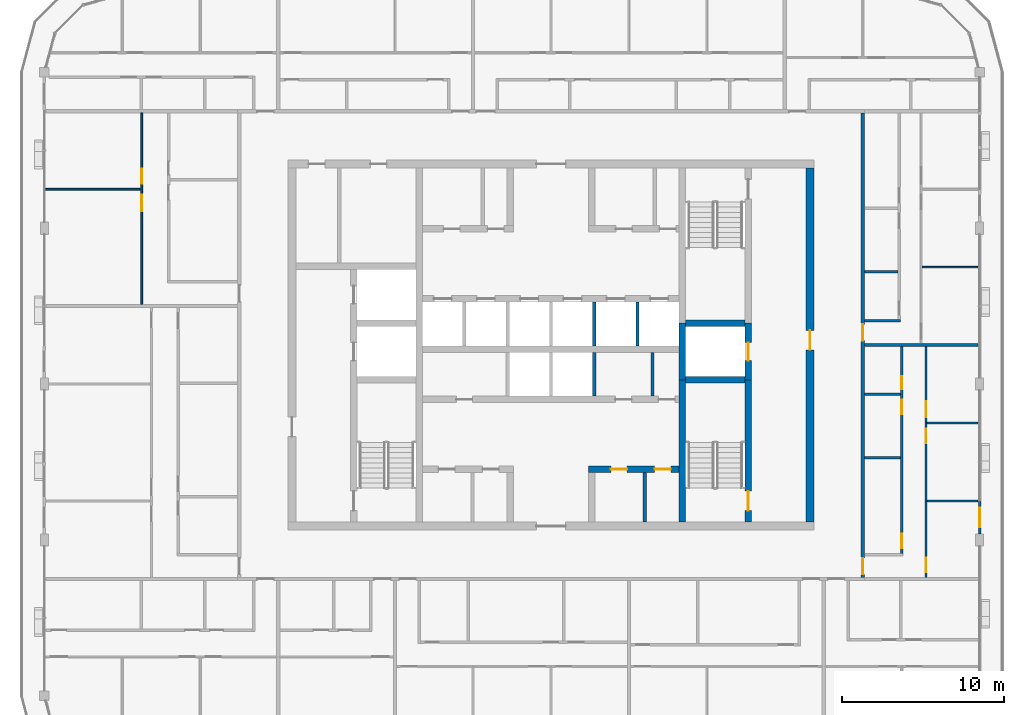
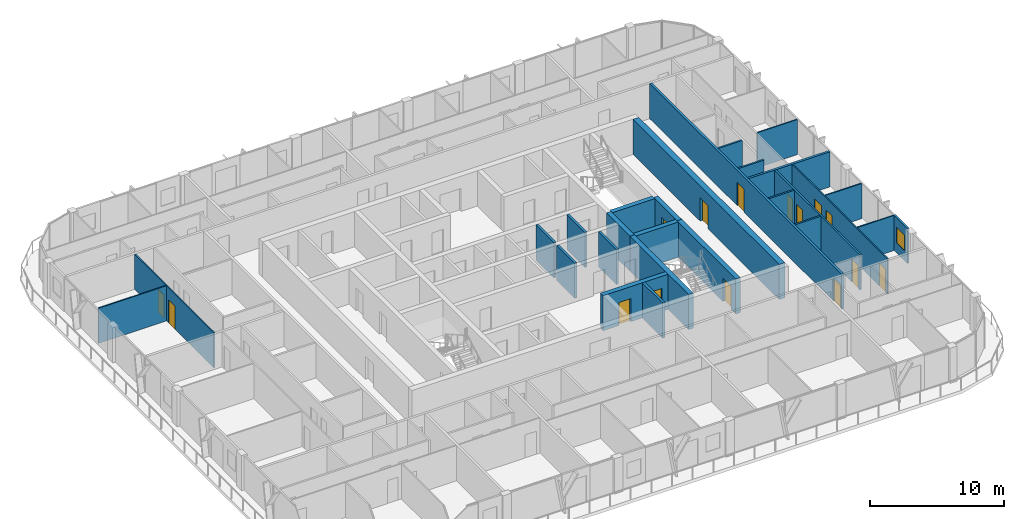
# One storey, part 12 of 22: 27 walls, 15 doors, 1 window, 16 openings.
"""IFC4 building model written with IfcOpenShell, lengths in metres."""

from ifc_helpers import new_model, si_unit, direction, frame, frame_2d, origin, place, context, subcontext, project, spatial, rectangle, extrude, material, layer, layer_set, type_object, element, fill, save


model = new_model("IFC4")

# Units and contexts
model_context = context("Model", 3, precision=1e-05, world=origin(), true_north=direction((0.0, 1.0)))
body_context = subcontext(model_context, "Body", "Model", "MODEL_VIEW")
ifc_project = project(units=[si_unit("LENGTHUNIT", "METRE"), si_unit("AREAUNIT", "SQUARE_METRE"), si_unit("VOLUMEUNIT", "CUBIC_METRE"), si_unit("PLANEANGLEUNIT", "RADIAN"), si_unit("MASSUNIT", "GRAM", prefix="KILO")], contexts=[model_context])

# Site, building, storey
site_placement = place(None, origin())
site = spatial("IfcSite", under=ifc_project, at=site_placement, CompositionType="ELEMENT")
building_placement = place(site_placement, origin())
building = spatial("IfcBuilding", under=site, at=building_placement, Name="Madar Terraces", CompositionType="ELEMENT")
storey_placement = place(building_placement, frame((0.0, 0.0, 282.60009765625)))
storey = spatial("IfcBuildingStorey", under=building, at=storey_placement, Name="L74", CompositionType="ELEMENT", Elevation=282.60009765625)

# Walls
ifc_material_1 = material(Name="Concrete C50/60", Category="concrete")
ifc_layer_1 = layer(ifc_material_1, 0.39990234375)
ifc_layer_set_1 = layer_set([ifc_layer_1], Name="Concrete C50/60 (CIW6 RC wall 400)")
wall_type_1 = type_object("IfcWallType", Name="CIW6 RC wall 400", PredefinedType="SHEAR", material=ifc_layer_set_1)
wall_1_placement = place(storey_placement, frame((39.300048828125, 15.5, 0.0), z_axis=(0.0, 0.0, 1.0), x_axis=(0.0, 1.0, 0.0)))
element("IfcWall", 1, at=wall_1_placement, inside=storey, type_object=wall_type_1, Name="CORE SHAFT WALL", PredefinedType="SHEAR", context=body_context, shape_type="SweptSolid", body=[
    extrude(rectangle(XDim=8.75, YDim=0.39990234375, at=frame_2d((4.375, 0.0))), origin(), (0.0, 0.0, 1.0), 3.199951171875),
])
wall_2_placement = place(storey_placement, frame((39.300048828125, 24.25, 0.0), z_axis=(0.0, 0.0, 1.0), x_axis=(0.0, 1.0, 0.0)))
element("IfcWall", 2, at=wall_2_placement, inside=storey, type_object=wall_type_1, Name="CORE SHAFT WALL", PredefinedType="SHEAR", context=body_context, shape_type="SweptSolid", body=[
    extrude(rectangle(XDim=3.5, YDim=0.39990234375, at=frame_2d((1.75, 0.0))), origin(), (0.0, 0.0, 1.0), 3.199951171875),
])

# Wall, opening, door
wall_3_placement = place(storey_placement, frame((43.35009765625, 15.5, 0.0), z_axis=(0.0, 0.0, 1.0), x_axis=(0.0, 1.0, 0.0)))
wall_3 = element("IfcWall", 3, at=wall_3_placement, inside=storey, type_object=wall_type_1, Name="CORE SHAFT WALL", PredefinedType="SHEAR", context=body_context, shape_type="SweptSolid", body=[
    extrude(rectangle(XDim=8.75, YDim=0.39990234375, at=frame_2d((4.375, 0.0))), origin(), (0.0, 0.0, 1.0), 3.199951171875),
])
opening_1_placement = place(wall_3_placement, frame((0.699951171875, 0.0, 0.0)))
opening_1 = element("IfcOpeningElement", 4, at=opening_1_placement, cuts=wall_3, Name="Opening SD1", PredefinedType="OPENING", context=body_context, shape_type="SweptSolid", body=[
    extrude(rectangle(XDim=1.199951171875, YDim=2.10009765625, at=frame_2d((0.60009765625, 1.050048828125))), frame((0.0, 0.2099609375, 0.0), z_axis=(0.0, -1.0, 0.0), x_axis=(1.0, 0.0, 0.0)), (0.0, 0.0, 1.0), 0.419921875),
])
ifc_material_2 = material(Name="Steel door leaf", Category="steel")
door_type_1 = type_object("IfcDoorType", Name="Stair door 1200 x 2100", OperationType="NOTDEFINED", PredefinedType="DOOR", material=ifc_material_2)
door_1_placement = place(opening_1_placement, origin())
door_1 = element("IfcDoor", 5, at=door_1_placement, inside=storey, type_object=door_type_1, Name="STAIR DOOR", OperationType="SINGLE_SWING_LEFT", OverallHeight=2.10009765625, OverallWidth=1.199951171875, PredefinedType="DOOR", context=body_context, shape_type="SweptSolid", body=[
    extrude(rectangle(XDim=1.199951171875, YDim=2.10009765625, at=frame_2d((0.60009765625, 1.050048828125))), frame((0.0, 0.02490234375, 0.0), z_axis=(0.0, -1.0, 0.0), x_axis=(1.0, 0.0, 0.0)), (0.0, 0.0, 1.0), 0.050048828125),
])
fill(opening_1, door_1)

wall_4_placement = place(storey_placement, frame((43.35009765625, 24.25, 0.0), z_axis=(0.0, 0.0, 1.0), x_axis=(0.0, 1.0, 0.0)))
wall_4 = element("IfcWall", 6, at=wall_4_placement, inside=storey, type_object=wall_type_1, Name="CORE SHAFT WALL", PredefinedType="SHEAR", context=body_context, shape_type="SweptSolid", body=[
    extrude(rectangle(XDim=3.5, YDim=0.39990234375, at=frame_2d((1.75, 0.0))), origin(), (0.0, 0.0, 1.0), 3.199951171875),
])
opening_2_placement = place(wall_4_placement, frame((1.199951171875, 0.0, 0.0)))
opening_2 = element("IfcOpeningElement", 7, at=opening_2_placement, cuts=wall_4, Name="Opening LD", PredefinedType="OPENING", context=body_context, shape_type="SweptSolid", body=[
    extrude(rectangle(XDim=1.10009765625, YDim=2.10009765625, at=frame_2d((0.550048828125, 1.050048828125))), frame((0.0, 0.2099609375, 0.0), z_axis=(0.0, -1.0, 0.0), x_axis=(1.0, 0.0, 0.0)), (0.0, 0.0, 1.0), 0.419921875),
])
ifc_material_3 = material(Name="Stainless steel panel", Category="steel")
door_type_2 = type_object("IfcDoorType", Name="Lift landing door 1100 x 2100", OperationType="DOUBLE_DOOR_SLIDING", PredefinedType="DOOR", material=ifc_material_3)
door_2_placement = place(opening_2_placement, origin())
door_2 = element("IfcDoor", 8, at=door_2_placement, inside=storey, type_object=door_type_2, Name="LIFT LANDING DOOR", OperationType="DOUBLE_DOOR_SLIDING", OverallHeight=2.10009765625, OverallWidth=1.10009765625, PredefinedType="DOOR", context=body_context, shape_type="SweptSolid", body=[
    extrude(rectangle(XDim=1.10009765625, YDim=2.10009765625, at=frame_2d((0.550048828125, 1.050048828125))), frame((0.0, 0.02490234375, 0.0), z_axis=(0.0, -1.0, 0.0), x_axis=(1.0, 0.0, 0.0)), (0.0, 0.0, 1.0), 0.050048828125),
])
fill(opening_2, door_2)

# Walls
for number, where, z_axis, x_axis, name in (
    (9, (39.5, 24.25, 0.0), (0.0, 0.0, 1.0), (1.0, 0.0, 0.0), "CORE SHAFT WALL"),
    (10, (39.5, 27.75, 0.0), (0.0, 0.0, 1.0), (1.0, 0.0, 0.0), "CORE SHAFT WALL"),
):
    element("IfcWall", number, at=place(storey_placement, frame(where, z_axis=z_axis, x_axis=x_axis)), inside=storey, type_object=wall_type_1, Name=name, PredefinedType="SHEAR", context=body_context, shape_type="SweptSolid", body=[
        extrude(rectangle(XDim=3.64990234375, YDim=0.39990234375, at=frame_2d((1.824951171875, 0.0))), origin(), (0.0, 0.0, 1.0), 3.199951171875),
    ])

# Wall, openings, doors
wall_5_placement = place(storey_placement, frame((33.5, 18.75, 0.0), z_axis=(0.0, 0.0, 1.0), x_axis=(1.0, 0.0, 0.0)))
wall_5 = element("IfcWall", 11, at=wall_5_placement, inside=storey, type_object=wall_type_1, Name="CORE SHAFT WALL", PredefinedType="SHEAR", context=body_context, shape_type="SweptSolid", body=[
    extrude(rectangle(XDim=5.60009765625, YDim=0.39990234375, at=frame_2d((2.800048828125, 0.0))), origin(), (0.0, 0.0, 1.0), 3.199951171875),
])
opening_3_placement = place(wall_5_placement, frame((1.384033203125, 0.0, 0.0)))
opening_3 = element("IfcOpeningElement", 12, at=opening_3_placement, cuts=wall_5, Name="Opening KD2", PredefinedType="OPENING", context=body_context, shape_type="SweptSolid", body=[
    extrude(rectangle(XDim=1.0, YDim=2.10009765625, at=frame_2d((0.5, 1.050048828125))), frame((0.0, 0.2099609375, 0.0), z_axis=(0.0, -1.0, 0.0), x_axis=(1.0, 0.0, 0.0)), (0.0, 0.0, 1.0), 0.419921875),
])
opening_4_placement = place(wall_5_placement, frame((4.083984375, 0.0, 0.0)))
opening_4 = element("IfcOpeningElement", 13, at=opening_4_placement, cuts=wall_5, Name="Opening KD2", PredefinedType="OPENING", context=body_context, shape_type="SweptSolid", body=[
    extrude(rectangle(XDim=1.0, YDim=2.10009765625, at=frame_2d((0.5, 1.050048828125))), frame((0.0, 0.2099609375, 0.0), z_axis=(0.0, -1.0, 0.0), x_axis=(1.0, 0.0, 0.0)), (0.0, 0.0, 1.0), 0.419921875),
])
ifc_material_4 = material(Name="Steel door leaf", Category="steel")
door_type_3 = type_object("IfcDoorType", Name="Service room door 1000 x 2100", OperationType="NOTDEFINED", PredefinedType="DOOR", material=ifc_material_4)
door_3_placement = place(opening_3_placement, origin())
door_3 = element("IfcDoor", 14, at=door_3_placement, inside=storey, type_object=door_type_3, Name="SERVICE ROOM DOOR", OperationType="SINGLE_SWING_RIGHT", OverallHeight=2.10009765625, OverallWidth=1.0, PredefinedType="DOOR", context=body_context, shape_type="SweptSolid", body=[
    extrude(rectangle(XDim=1.0, YDim=2.10009765625, at=frame_2d((0.5, 1.050048828125))), frame((0.0, 0.02490234375, 0.0), z_axis=(0.0, -1.0, 0.0), x_axis=(1.0, 0.0, 0.0)), (0.0, 0.0, 1.0), 0.050048828125),
])
fill(opening_3, door_3)
door_4_placement = place(opening_4_placement, origin())
door_4 = element("IfcDoor", 15, at=door_4_placement, inside=storey, type_object=door_type_3, Name="SERVICE ROOM DOOR", OperationType="SINGLE_SWING_LEFT", OverallHeight=2.10009765625, OverallWidth=1.0, PredefinedType="DOOR", context=body_context, shape_type="SweptSolid", body=[
    extrude(rectangle(XDim=1.0, YDim=2.10009765625, at=frame_2d((0.5, 1.050048828125))), frame((0.0, 0.02490234375, 0.0), z_axis=(0.0, -1.0, 0.0), x_axis=(1.0, 0.0, 0.0)), (0.0, 0.0, 1.0), 0.050048828125),
])
fill(opening_4, door_4)

# Wall, opening, door
ifc_material_5 = material(Name="Concrete C50/60", Category="concrete")
ifc_layer_2 = layer(ifc_material_5, 0.5)
ifc_layer_set_2 = layer_set([ifc_layer_2], Name="Concrete C50/60 (CRW6 RC wall 500)")
wall_type_2 = type_object("IfcWallType", Name="CRW6 RC wall 500", PredefinedType="SHEAR", material=ifc_layer_set_2)
wall_6_placement = place(storey_placement, frame((47.14990234375, 15.5, 0.0), z_axis=(0.0, 0.0, 1.0), x_axis=(0.0, 1.0, 0.0)))
wall_6 = element("IfcWall", 16, at=wall_6_placement, inside=storey, type_object=wall_type_2, Name="CORE OUTER WALL", PredefinedType="SHEAR", context=body_context, shape_type="SweptSolid", body=[
    extrude(rectangle(XDim=21.800048828125, YDim=0.5, at=frame_2d((10.89990234375, 0.0))), origin(), (0.0, 0.0, 1.0), 3.199951171875),
])
opening_5_placement = place(wall_6_placement, frame((10.60009765625, 0.0, 0.0)))
opening_5 = element("IfcOpeningElement", 17, at=opening_5_placement, cuts=wall_6, Name="Opening SD1", PredefinedType="OPENING", context=body_context, shape_type="SweptSolid", body=[
    extrude(rectangle(XDim=1.199951171875, YDim=2.10009765625, at=frame_2d((0.60009765625, 1.050048828125))), frame((0.0, 0.260009765625, 0.0), z_axis=(0.0, -1.0, 0.0), x_axis=(1.0, 0.0, 0.0)), (0.0, 0.0, 1.0), 0.52001953125),
])
door_5_placement = place(opening_5_placement, origin())
door_5 = element("IfcDoor", 18, at=door_5_placement, inside=storey, type_object=door_type_1, Name="STAIR DOOR", OperationType="SINGLE_SWING_RIGHT", OverallHeight=2.10009765625, OverallWidth=1.199951171875, PredefinedType="DOOR", context=body_context, shape_type="SweptSolid", body=[
    extrude(rectangle(XDim=1.199951171875, YDim=2.10009765625, at=frame_2d((0.60009765625, 1.050048828125))), frame((0.0, 0.02490234375, 0.0), z_axis=(0.0, -1.0, 0.0), x_axis=(1.0, 0.0, 0.0)), (0.0, 0.0, 1.0), 0.050048828125),
])
fill(opening_5, door_5)

# Walls
ifc_material_6 = material(Name="Masonry blockwork", Category="masonry")
ifc_layer_3 = layer(ifc_material_6, 0.199951171875)
ifc_layer_set_3 = layer_set([ifc_layer_3], Name="Core partition 200 blockwork")
wall_type_3 = type_object("IfcWallType", Name="Core partition 200 blockwork", PredefinedType="PARTITIONING", material=ifc_layer_set_3)
wall_7_placement = place(storey_placement, frame((37.457275390625, 23.25, 0.0), z_axis=(0.0, 0.0, 1.0), x_axis=(0.0, 1.0, 0.0)))
element("IfcWall", 19, at=wall_7_placement, inside=storey, type_object=wall_type_3, Name="SERVICE ROOM PARTITION", PredefinedType="PARTITIONING", context=body_context, shape_type="SweptSolid", body=[
    extrude(rectangle(XDim=2.699951171875, YDim=0.199951171875, at=frame_2d((1.35009765625, 0.0))), origin(), (0.0, 0.0, 1.0), 3.199951171875),
])
wall_8_placement = place(storey_placement, frame((36.968017578125, 15.5, 0.0), z_axis=(0.0, 0.0, 1.0), x_axis=(0.0, 1.0, 0.0)))
element("IfcWall", 20, at=wall_8_placement, inside=storey, type_object=wall_type_3, Name="SERVICE ROOM PARTITION", PredefinedType="PARTITIONING", context=body_context, shape_type="SweptSolid", body=[
    extrude(rectangle(XDim=3.050048828125, YDim=0.199951171875, at=frame_2d((1.52490234375, 0.0))), origin(), (0.0, 0.0, 1.0), 3.199951171875),
])
ifc_material_7 = material(Name="Concrete C40/50", Category="concrete")
ifc_layer_4 = layer(ifc_material_7, 0.199951171875)
ifc_layer_set_4 = layer_set([ifc_layer_4], Name="Core shaft dividing wall 200 C40/50")
wall_type_4 = type_object("IfcWallType", Name="Core shaft dividing wall 200 C40/50", PredefinedType="SOLIDWALL", material=ifc_layer_set_4)
for number, where, z_axis, x_axis, name in (
    (21, (33.86669921875, 23.25, 0.0), (0.0, 0.0, 1.0), (0.0, 1.0, 0.0), "SHAFT DIVIDING WALL"),
    (22, (33.86669921875, 26.35009765625, 0.0), (0.0, 0.0, 1.0), (0.0, 1.0, 0.0), "SHAFT DIVIDING WALL"),
    (23, (36.533447265625, 26.35009765625, 0.0), (0.0, 0.0, 1.0), (0.0, 1.0, 0.0), "SHAFT DIVIDING WALL"),
):
    element("IfcWall", number, at=place(storey_placement, frame(where, z_axis=z_axis, x_axis=x_axis)), inside=storey, type_object=wall_type_4, Name=name, PredefinedType="SOLIDWALL", context=body_context, shape_type="SweptSolid", body=[
        extrude(rectangle(XDim=2.699951171875, YDim=0.199951171875, at=frame_2d((1.35009765625, 0.0))), origin(), (0.0, 0.0, 1.0), 3.199951171875),
    ])

# Wall, opening, window
ifc_material_8 = material(Name="Aluminium composite panel, black, over insulated backing", Category="aluminium")
ifc_layer_5 = layer(ifc_material_8, 0.14990234375)
ifc_layer_set_5 = layer_set([ifc_layer_5], Name="Facade bay panel 150")
wall_type_5 = type_object("IfcWallType", Name="Facade bay panel 150", PredefinedType="SOLIDWALL", material=ifc_layer_set_5)
wall_9_placement = place(storey_placement, frame((57.60009765625, 14.77490234375, 0.0), z_axis=(0.0, 0.0, 1.0), x_axis=(0.0, 1.0, 0.0)))
wall_9 = element("IfcWall", 24, at=wall_9_placement, inside=storey, type_object=wall_type_5, Name="Facade bay panel", PredefinedType="SOLIDWALL", context=body_context, shape_type="SweptSolid", body=[
    extrude(rectangle(XDim=2.025146484375, YDim=0.14990234375, at=frame_2d((1.0126953125, 0.0))), origin(), (0.0, 0.0, 1.0), 3.199951171875),
])
opening_6_placement = place(wall_9_placement, frame((0.41259765625, 0.0, 0.89990234375)))
opening_6 = element("IfcOpeningElement", 25, at=opening_6_placement, cuts=wall_9, Name="Opening W1", PredefinedType="OPENING", context=body_context, shape_type="SweptSolid", body=[
    extrude(rectangle(XDim=1.199951171875, YDim=1.39990234375, at=frame_2d((0.60009765625, 0.699951171875))), frame((0.0, 0.0849609375, 0.0), z_axis=(0.0, -1.0, 0.0), x_axis=(1.0, 0.0, 0.0)), (0.0, 0.0, 1.0), 0.169921875),
])
ifc_material_9 = material(Name="Glass, clear, with black aluminium frame", Category="aluminium")
window_type = type_object("IfcWindowType", Name="Vent window 1200 x 1400", PartitioningType="SINGLE_PANEL", PredefinedType="WINDOW", material=ifc_material_9)
window_placement = place(opening_6_placement, origin())
window = element("IfcWindow", 26, at=window_placement, inside=storey, type_object=window_type, Name="Operable vent window", OverallHeight=1.39990234375, OverallWidth=1.199951171875, PartitioningType="SINGLE_PANEL", PredefinedType="WINDOW", context=body_context, shape_type="SweptSolid", body=[
    extrude(rectangle(XDim=1.199951171875, YDim=1.39990234375, at=frame_2d((0.60009765625, 0.699951171875))), frame((0.0, 0.030029296875, 0.0), z_axis=(0.0, -1.0, 0.0), x_axis=(1.0, 0.0, 0.0)), (0.0, 0.0, 1.0), 0.06005859375),
])
fill(opening_6, window)

# Walls
ifc_material_10 = material(Name="Gypsum board on steel studs", Category="steel")
ifc_layer_6 = layer(ifc_material_10, 0.10009765625)
ifc_layer_set_6 = layer_set([ifc_layer_6], Name="Flat partition 100")
wall_type_6 = type_object("IfcWallType", Name="Flat partition 100", PredefinedType="PARTITIONING", material=ifc_layer_set_6)
for number, where, z_axis, x_axis, name in (
    (27, (54.35009765625, 16.800048828125, 0.0), (0.0, 0.0, 1.0), (1.0, 0.0, 0.0), "Flat partition 100"),
    (28, (54.35009765625, 21.60009765625, 0.0), (0.0, 0.0, 1.0), (1.0, 0.0, 0.0), "Flat partition 100"),
):
    element("IfcWall", number, at=place(storey_placement, frame(where, z_axis=z_axis, x_axis=x_axis)), inside=storey, type_object=wall_type_6, Name=name, PredefinedType="PARTITIONING", context=body_context, shape_type="SweptSolid", body=[
        extrude(rectangle(XDim=3.14990234375, YDim=0.10009765625, at=frame_2d((1.574951171875, 0.0))), origin(), (0.0, 0.0, 1.0), 3.199951171875),
    ])

# Wall, openings, doors
wall_10_placement = place(storey_placement, frame((54.300048828125, 26.300048828125, 0.0), z_axis=(0.0, 0.0, 1.0), x_axis=(0.0, -1.0, 0.0)))
wall_10 = element("IfcWall", 29, at=wall_10_placement, inside=storey, type_object=wall_type_6, Name="Flat partition 100", PredefinedType="PARTITIONING", context=body_context, shape_type="SweptSolid", body=[
    extrude(rectangle(XDim=14.199951171875, YDim=0.10009765625, at=frame_2d((7.10009765625, 0.0))), origin(), (0.0, 0.0, 1.0), 3.199951171875),
])
opening_7_placement = place(wall_10_placement, frame((13.0, 0.0, 0.0)))
opening_7 = element("IfcOpeningElement", 30, at=opening_7_placement, cuts=wall_10, Name="Opening D2", PredefinedType="OPENING", context=body_context, shape_type="SweptSolid", body=[
    extrude(rectangle(XDim=0.89990234375, YDim=2.10009765625, at=frame_2d((0.449951171875, 1.050048828125))), frame((0.0, 0.06005859375, 0.0), z_axis=(0.0, -1.0, 0.0), x_axis=(1.0, 0.0, 0.0)), (0.0, 0.0, 1.0), 0.1201171875),
])
opening_8_placement = place(wall_10_placement, frame((5.050048828125, 0.0, 0.0)))
opening_8 = element("IfcOpeningElement", 31, at=opening_8_placement, cuts=wall_10, Name="Opening D2", PredefinedType="OPENING", context=body_context, shape_type="SweptSolid", body=[
    extrude(rectangle(XDim=0.89990234375, YDim=2.10009765625, at=frame_2d((0.449951171875, 1.050048828125))), frame((0.0, 0.06005859375, 0.0), z_axis=(0.0, -1.0, 0.0), x_axis=(1.0, 0.0, 0.0)), (0.0, 0.0, 1.0), 0.1201171875),
])
opening_9_placement = place(wall_10_placement, frame((3.35009765625, 0.0, 0.0)))
opening_9 = element("IfcOpeningElement", 32, at=opening_9_placement, cuts=wall_10, Name="Opening D3", PredefinedType="OPENING", context=body_context, shape_type="SweptSolid", body=[
    extrude(rectangle(XDim=1.0, YDim=2.10009765625, at=frame_2d((0.5, 1.050048828125))), frame((0.0, 0.06005859375, 0.0), z_axis=(0.0, -1.0, 0.0), x_axis=(1.0, 0.0, 0.0)), (0.0, 0.0, 1.0), 0.1201171875),
])
ifc_material_11 = material(Name="Timber door leaf", Category="wood")
door_type_4 = type_object("IfcDoorType", Name="Flat living room door 1000", OperationType="NOTDEFINED", PredefinedType="DOOR", material=ifc_material_11)
door_6_placement = place(opening_9_placement, origin())
door_6 = element("IfcDoor", 33, at=door_6_placement, inside=storey, type_object=door_type_4, Name="Flat living room door 1000", OperationType="SINGLE_SWING_RIGHT", OverallHeight=2.10009765625, OverallWidth=1.0, PredefinedType="DOOR", context=body_context, shape_type="SweptSolid", body=[
    extrude(rectangle(XDim=1.0, YDim=2.10009765625, at=frame_2d((0.5, 1.050048828125))), frame((0.0, 0.02490234375, 0.0), z_axis=(0.0, -1.0, 0.0), x_axis=(1.0, 0.0, 0.0)), (0.0, 0.0, 1.0), 0.050048828125),
])
fill(opening_9, door_6)
ifc_material_12 = material(Name="Timber door leaf", Category="wood")
door_type_5 = type_object("IfcDoorType", Name="Flat room door 900", OperationType="NOTDEFINED", PredefinedType="DOOR", material=ifc_material_12)
door_7_placement = place(opening_7_placement, origin())
door_7 = element("IfcDoor", 34, at=door_7_placement, inside=storey, type_object=door_type_5, Name="Flat room door 900", OperationType="SINGLE_SWING_RIGHT", OverallHeight=2.10009765625, OverallWidth=0.89990234375, PredefinedType="DOOR", context=body_context, shape_type="SweptSolid", body=[
    extrude(rectangle(XDim=0.89990234375, YDim=2.10009765625, at=frame_2d((0.449951171875, 1.050048828125))), frame((0.0, 0.02490234375, 0.0), z_axis=(0.0, -1.0, 0.0), x_axis=(1.0, 0.0, 0.0)), (0.0, 0.0, 1.0), 0.050048828125),
])
fill(opening_7, door_7)
door_8_placement = place(opening_8_placement, origin())
door_8 = element("IfcDoor", 35, at=door_8_placement, inside=storey, type_object=door_type_5, Name="Flat room door 900", OperationType="SINGLE_SWING_LEFT", OverallHeight=2.10009765625, OverallWidth=0.89990234375, PredefinedType="DOOR", context=body_context, shape_type="SweptSolid", body=[
    extrude(rectangle(XDim=0.89990234375, YDim=2.10009765625, at=frame_2d((0.449951171875, 1.050048828125))), frame((0.0, 0.02490234375, 0.0), z_axis=(0.0, -1.0, 0.0), x_axis=(1.0, 0.0, 0.0)), (0.0, 0.0, 1.0), 0.050048828125),
])
fill(opening_8, door_8)

# Walls
wall_11_placement = place(storey_placement, frame((54.050048828125, 31.199951171875, 0.0), z_axis=(0.0, 0.0, 1.0), x_axis=(1.0, 0.0, 0.0)))
element("IfcWall", 36, at=wall_11_placement, inside=storey, type_object=wall_type_6, Name="Flat partition 100", PredefinedType="PARTITIONING", context=body_context, shape_type="SweptSolid", body=[
    extrude(rectangle(XDim=3.449951171875, YDim=0.10009765625, at=frame_2d((1.72509765625, 0.0))), origin(), (0.0, 0.0, 1.0), 3.199951171875),
])
wall_12_placement = place(storey_placement, frame((5.949951171875, 36.0, 0.0), z_axis=(0.0, 0.0, 1.0), x_axis=(-1.0, 0.0, 0.0)))
element("IfcWall", 37, at=wall_12_placement, inside=storey, type_object=wall_type_6, Name="Flat partition 100", PredefinedType="PARTITIONING", context=body_context, shape_type="SweptSolid", body=[
    extrude(rectangle(XDim=5.849853515625, YDim=0.10009765625, at=frame_2d((2.9248046875, 0.0))), origin(), (0.0, 0.0, 1.0), 3.199951171875),
])

# Wall, openings, doors
wall_13_placement = place(storey_placement, frame((6.0, 28.89990234375, 0.0), z_axis=(0.0, 0.0, 1.0), x_axis=(0.0, 1.0, 0.0)))
wall_13 = element("IfcWall", 38, at=wall_13_placement, inside=storey, type_object=wall_type_6, Name="Flat partition 100", PredefinedType="PARTITIONING", context=body_context, shape_type="SweptSolid", body=[
    extrude(rectangle(XDim=11.800048828125, YDim=0.10009765625, at=frame_2d((5.89990234375, 0.0))), origin(), (0.0, 0.0, 1.0), 3.199951171875),
])
opening_10_placement = place(wall_13_placement, frame((5.75, 0.0, 0.0)))
opening_10 = element("IfcOpeningElement", 39, at=opening_10_placement, cuts=wall_13, Name="Opening D3", PredefinedType="OPENING", context=body_context, shape_type="SweptSolid", body=[
    extrude(rectangle(XDim=1.0, YDim=2.10009765625, at=frame_2d((0.5, 1.050048828125))), frame((0.0, 0.06005859375, 0.0), z_axis=(0.0, -1.0, 0.0), x_axis=(1.0, 0.0, 0.0)), (0.0, 0.0, 1.0), 0.1201171875),
])
opening_11_placement = place(wall_13_placement, frame((7.449951171875, 0.0, 0.0)))
opening_11 = element("IfcOpeningElement", 40, at=opening_11_placement, cuts=wall_13, Name="Opening D2", PredefinedType="OPENING", context=body_context, shape_type="SweptSolid", body=[
    extrude(rectangle(XDim=0.89990234375, YDim=2.10009765625, at=frame_2d((0.449951171875, 1.050048828125))), frame((0.0, 0.06005859375, 0.0), z_axis=(0.0, -1.0, 0.0), x_axis=(1.0, 0.0, 0.0)), (0.0, 0.0, 1.0), 0.1201171875),
])
door_9_placement = place(opening_10_placement, origin())
door_9 = element("IfcDoor", 41, at=door_9_placement, inside=storey, type_object=door_type_4, Name="Flat living room door 1000", OperationType="SINGLE_SWING_RIGHT", OverallHeight=2.10009765625, OverallWidth=1.0, PredefinedType="DOOR", context=body_context, shape_type="SweptSolid", body=[
    extrude(rectangle(XDim=1.0, YDim=2.10009765625, at=frame_2d((0.5, 1.050048828125))), frame((0.0, 0.02490234375, 0.0), z_axis=(0.0, -1.0, 0.0), x_axis=(1.0, 0.0, 0.0)), (0.0, 0.0, 1.0), 0.050048828125),
])
fill(opening_10, door_9)
door_10_placement = place(opening_11_placement, origin())
door_10 = element("IfcDoor", 42, at=door_10_placement, inside=storey, type_object=door_type_5, Name="Flat room door 900", OperationType="SINGLE_SWING_LEFT", OverallHeight=2.10009765625, OverallWidth=0.89990234375, PredefinedType="DOOR", context=body_context, shape_type="SweptSolid", body=[
    extrude(rectangle(XDim=0.89990234375, YDim=2.10009765625, at=frame_2d((0.449951171875, 1.050048828125))), frame((0.0, 0.02490234375, 0.0), z_axis=(0.0, -1.0, 0.0), x_axis=(1.0, 0.0, 0.0)), (0.0, 0.0, 1.0), 0.050048828125),
])
fill(opening_11, door_10)

ifc_material_13 = material(Name="Lightweight blockwork", Category="masonry")
ifc_layer_7 = layer(ifc_material_13, 0.199951171875)
ifc_layer_set_7 = layer_set([ifc_layer_7], Name="Flat party and entrance wall 200")
wall_type_7 = type_object("IfcWallType", Name="Flat party and entrance wall 200", PredefinedType="PARTITIONING", material=ifc_layer_set_7)
wall_14_placement = place(storey_placement, frame((50.39990234375, 40.699951171875, 0.0), z_axis=(0.0, 0.0, 1.0), x_axis=(0.0, -1.0, 0.0)))
wall_14 = element("IfcWall", 43, at=wall_14_placement, inside=storey, type_object=wall_type_7, Name="Flat party and entrance wall 200", PredefinedType="PARTITIONING", context=body_context, shape_type="SweptSolid", body=[
    extrude(rectangle(XDim=28.599853515625, YDim=0.199951171875, at=frame_2d((14.2998046875, 0.0))), origin(), (0.0, 0.0, 1.0), 3.199951171875),
])
opening_12_placement = place(wall_14_placement, frame((27.425048828125, 0.0, 0.0)))
opening_12 = element("IfcOpeningElement", 44, at=opening_12_placement, cuts=wall_14, Name="Opening D1", PredefinedType="OPENING", context=body_context, shape_type="SweptSolid", body=[
    extrude(rectangle(XDim=1.0, YDim=2.10009765625, at=frame_2d((0.5, 1.050048828125))), frame((0.0, 0.10986328125, 0.0), z_axis=(0.0, -1.0, 0.0), x_axis=(1.0, 0.0, 0.0)), (0.0, 0.0, 1.0), 0.219970703125),
])
opening_13_placement = place(wall_14_placement, frame((13.02490234375, 0.0, 0.0)))
opening_13 = element("IfcOpeningElement", 45, at=opening_13_placement, cuts=wall_14, Name="Opening D1", PredefinedType="OPENING", context=body_context, shape_type="SweptSolid", body=[
    extrude(rectangle(XDim=1.0, YDim=2.10009765625, at=frame_2d((0.5, 1.050048828125))), frame((0.0, 0.10986328125, 0.0), z_axis=(0.0, -1.0, 0.0), x_axis=(1.0, 0.0, 0.0)), (0.0, 0.0, 1.0), 0.219970703125),
])
ifc_material_14 = material(Name="Timber fire door leaf", Category="wood")
door_type_6 = type_object("IfcDoorType", Name="Flat entrance door 1000 FD30S", OperationType="NOTDEFINED", PredefinedType="DOOR", material=ifc_material_14)
door_11_placement = place(opening_12_placement, origin())
door_11 = element("IfcDoor", 46, at=door_11_placement, inside=storey, type_object=door_type_6, Name="Flat entrance door 1000 FD30S", OperationType="SINGLE_SWING_RIGHT", OverallHeight=2.10009765625, OverallWidth=1.0, PredefinedType="DOOR", context=body_context, shape_type="SweptSolid", body=[
    extrude(rectangle(XDim=1.0, YDim=2.10009765625, at=frame_2d((0.5, 1.050048828125))), frame((0.0, 0.02490234375, 0.0), z_axis=(0.0, -1.0, 0.0), x_axis=(1.0, 0.0, 0.0)), (0.0, 0.0, 1.0), 0.050048828125),
])
fill(opening_12, door_11)
door_12_placement = place(opening_13_placement, origin())
door_12 = element("IfcDoor", 47, at=door_12_placement, inside=storey, type_object=door_type_6, Name="Flat entrance door 1000 FD30S", OperationType="SINGLE_SWING_RIGHT", OverallHeight=2.10009765625, OverallWidth=1.0, PredefinedType="DOOR", context=body_context, shape_type="SweptSolid", body=[
    extrude(rectangle(XDim=1.0, YDim=2.10009765625, at=frame_2d((0.5, 1.050048828125))), frame((0.0, 0.02490234375, 0.0), z_axis=(0.0, -1.0, 0.0), x_axis=(1.0, 0.0, 0.0)), (0.0, 0.0, 1.0), 0.050048828125),
])
fill(opening_13, door_12)

# Walls
wall_15_placement = place(storey_placement, frame((50.5, 26.39990234375, 0.0), z_axis=(0.0, 0.0, 1.0), x_axis=(1.0, 0.0, 0.0)))
element("IfcWall", 48, at=wall_15_placement, inside=storey, type_object=wall_type_7, Name="Flat party and entrance wall 200", PredefinedType="PARTITIONING", context=body_context, shape_type="SweptSolid", body=[
    extrude(rectangle(XDim=7.0, YDim=0.199951171875, at=frame_2d((3.5, 0.0))), origin(), (0.0, 0.0, 1.0), 3.199951171875),
])
ifc_material_15 = material(Name="Lightweight blockwork", Category="masonry")
ifc_layer_8 = layer(ifc_material_15, 0.14990234375)
ifc_layer_set_8 = layer_set([ifc_layer_8], Name="Flat wet-room partition 150")
wall_type_8 = type_object("IfcWallType", Name="Flat wet-room partition 150", PredefinedType="PARTITIONING", material=ifc_layer_set_8)
for number, where, z_axis, x_axis, name in (
    (49, (50.5, 19.447998046875, 0.0), (0.0, 0.0, 1.0), (1.0, 0.0, 0.0), "Flat wet-room partition 150"),
    (50, (50.5, 23.363525390625, 0.0), (0.0, 0.0, 1.0), (1.0, 0.0, 0.0), "Flat wet-room partition 150"),
):
    element("IfcWall", number, at=place(storey_placement, frame(where, z_axis=z_axis, x_axis=x_axis)), inside=storey, type_object=wall_type_8, Name=name, PredefinedType="PARTITIONING", context=body_context, shape_type="SweptSolid", body=[
        extrude(rectangle(XDim=2.22509765625, YDim=0.14990234375, at=frame_2d((1.112548828125, 0.0))), origin(), (0.0, 0.0, 1.0), 3.199951171875),
    ])

# Wall, openings, doors
wall_16_placement = place(storey_placement, frame((52.800048828125, 13.574951171875, 0.0), z_axis=(0.0, 0.0, 1.0), x_axis=(0.0, 1.0, 0.0)))
wall_16 = element("IfcWall", 51, at=wall_16_placement, inside=storey, type_object=wall_type_8, Name="Flat wet-room partition 150", PredefinedType="PARTITIONING", context=body_context, shape_type="SweptSolid", body=[
    extrude(rectangle(XDim=12.72509765625, YDim=0.14990234375, at=frame_2d((6.362548828125, 0.0))), origin(), (0.0, 0.0, 1.0), 3.199951171875),
])
opening_14_placement = place(wall_16_placement, frame((0.300048828125, 0.0, 0.0)))
opening_14 = element("IfcOpeningElement", 52, at=opening_14_placement, cuts=wall_16, Name="Opening D2", PredefinedType="OPENING", context=body_context, shape_type="SweptSolid", body=[
    extrude(rectangle(XDim=0.89990234375, YDim=2.10009765625, at=frame_2d((0.449951171875, 1.050048828125))), frame((0.0, 0.0849609375, 0.0), z_axis=(0.0, -1.0, 0.0), x_axis=(1.0, 0.0, 0.0)), (0.0, 0.0, 1.0), 0.169921875),
])
opening_15_placement = place(wall_16_placement, frame((8.5634765625, 0.0, 0.0)))
opening_15 = element("IfcOpeningElement", 53, at=opening_15_placement, cuts=wall_16, Name="Opening D5", PredefinedType="OPENING", context=body_context, shape_type="SweptSolid", body=[
    extrude(rectangle(XDim=0.89990234375, YDim=2.10009765625, at=frame_2d((0.449951171875, 1.050048828125))), frame((0.0, 0.0849609375, 0.0), z_axis=(0.0, -1.0, 0.0), x_axis=(1.0, 0.0, 0.0)), (0.0, 0.0, 1.0), 0.169921875),
])
opening_16_placement = place(wall_16_placement, frame((10.113525390625, 0.0, 0.0)))
opening_16 = element("IfcOpeningElement", 54, at=opening_16_placement, cuts=wall_16, Name="Opening D4", PredefinedType="OPENING", context=body_context, shape_type="SweptSolid", body=[
    extrude(rectangle(XDim=0.800048828125, YDim=2.10009765625, at=frame_2d((0.39990234375, 1.050048828125))), frame((0.0, 0.0849609375, 0.0), z_axis=(0.0, -1.0, 0.0), x_axis=(1.0, 0.0, 0.0)), (0.0, 0.0, 1.0), 0.169921875),
])
ifc_material_16 = material(Name="Timber door leaf", Category="wood")
door_type_7 = type_object("IfcDoorType", Name="Flat accessible bathroom door 900", OperationType="NOTDEFINED", PredefinedType="DOOR", material=ifc_material_16)
door_13_placement = place(opening_15_placement, origin())
door_13 = element("IfcDoor", 55, at=door_13_placement, inside=storey, type_object=door_type_7, Name="Flat accessible bathroom door 900", OperationType="SINGLE_SWING_RIGHT", OverallHeight=2.10009765625, OverallWidth=0.89990234375, PredefinedType="DOOR", context=body_context, shape_type="SweptSolid", body=[
    extrude(rectangle(XDim=0.89990234375, YDim=2.10009765625, at=frame_2d((0.449951171875, 1.050048828125))), frame((0.0, 0.02490234375, 0.0), z_axis=(0.0, -1.0, 0.0), x_axis=(1.0, 0.0, 0.0)), (0.0, 0.0, 1.0), 0.050048828125),
])
fill(opening_15, door_13)
ifc_material_17 = material(Name="Timber door leaf", Category="wood")
door_type_8 = type_object("IfcDoorType", Name="Flat bathroom door 800", OperationType="NOTDEFINED", PredefinedType="DOOR", material=ifc_material_17)
door_14_placement = place(opening_16_placement, origin())
door_14 = element("IfcDoor", 56, at=door_14_placement, inside=storey, type_object=door_type_8, Name="Flat bathroom door 800", OperationType="SINGLE_SWING_LEFT", OverallHeight=2.10009765625, OverallWidth=0.800048828125, PredefinedType="DOOR", context=body_context, shape_type="SweptSolid", body=[
    extrude(rectangle(XDim=0.800048828125, YDim=2.10009765625, at=frame_2d((0.39990234375, 1.050048828125))), frame((0.0, 0.02490234375, 0.0), z_axis=(0.0, -1.0, 0.0), x_axis=(1.0, 0.0, 0.0)), (0.0, 0.0, 1.0), 0.050048828125),
])
fill(opening_16, door_14)
door_15_placement = place(opening_14_placement, origin())
door_15 = element("IfcDoor", 57, at=door_15_placement, inside=storey, type_object=door_type_5, Name="Flat room door 900", OperationType="SINGLE_SWING_LEFT", OverallHeight=2.10009765625, OverallWidth=0.89990234375, PredefinedType="DOOR", context=body_context, shape_type="SweptSolid", body=[
    extrude(rectangle(XDim=0.89990234375, YDim=2.10009765625, at=frame_2d((0.449951171875, 1.050048828125))), frame((0.0, 0.02490234375, 0.0), z_axis=(0.0, -1.0, 0.0), x_axis=(1.0, 0.0, 0.0)), (0.0, 0.0, 1.0), 0.050048828125),
])
fill(opening_14, door_15)

# Walls
wall_17_placement = place(storey_placement, frame((50.5, 30.91162109375, 0.0), z_axis=(0.0, 0.0, 1.0), x_axis=(1.0, 0.0, 0.0)))
element("IfcWall", 58, at=wall_17_placement, inside=storey, type_object=wall_type_8, Name="Flat wet-room partition 150", PredefinedType="PARTITIONING", context=body_context, shape_type="SweptSolid", body=[
    extrude(rectangle(XDim=2.074951171875, YDim=0.14990234375, at=frame_2d((1.03759765625, 0.0))), origin(), (0.0, 0.0, 1.0), 3.199951171875),
])
wall_18_placement = place(storey_placement, frame((50.5, 27.89990234375, 0.0), z_axis=(0.0, 0.0, 1.0), x_axis=(1.0, 0.0, 0.0)))
element("IfcWall", 59, at=wall_18_placement, inside=storey, type_object=wall_type_8, Name="Flat wet-room partition 150", PredefinedType="PARTITIONING", context=body_context, shape_type="SweptSolid", body=[
    extrude(rectangle(XDim=2.22509765625, YDim=0.14990234375, at=frame_2d((1.112548828125, 0.0))), origin(), (0.0, 0.0, 1.0), 3.199951171875),
])

save(model, "model.ifc")
